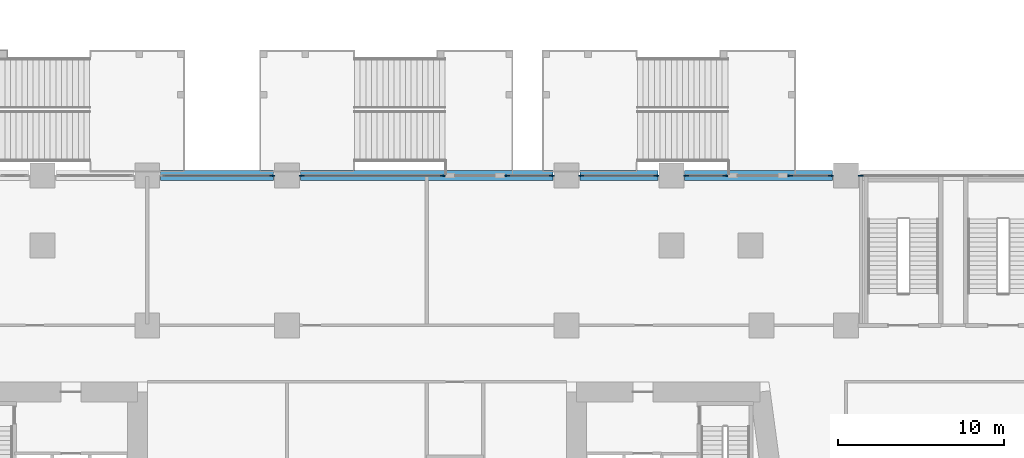
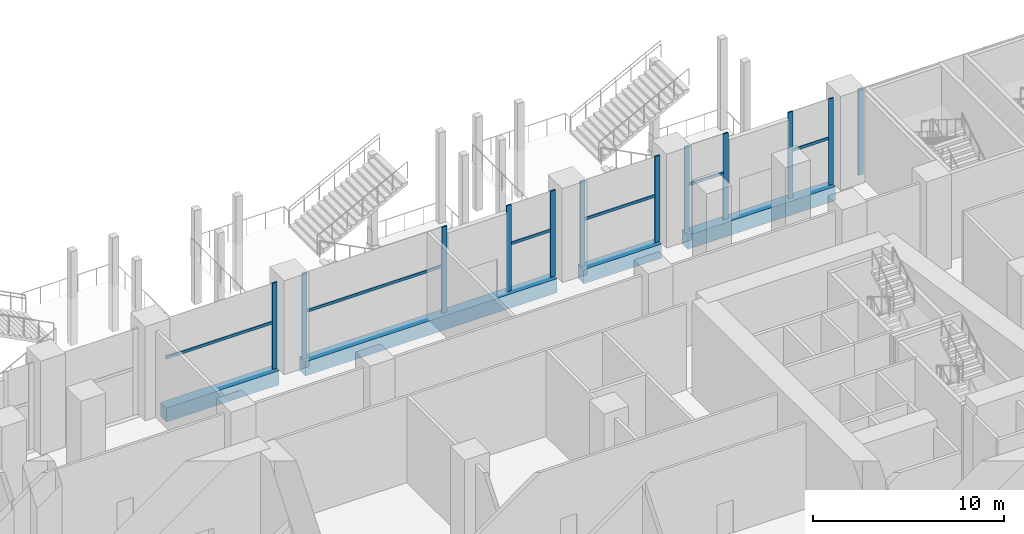
# One storey, part 11 of 49: 18 members, 4 beams, 7 elements without a shape of their own.
"""IFC4 building model written with IfcOpenShell, lengths in metres."""

from ifc_helpers import new_model, si_unit, direction, frame, origin, origin_2d, place, context, subcontext, project, spatial, rectangle, extrude, material, material_profile, profile_set, type_object, element, aggregate, save


model = new_model("IFC4")

# Units and contexts
model_context = context("Model", 3, precision=1e-05, world=origin(), true_north=direction((0.0, 1.0)))
body_context = subcontext(model_context, "Body", "Model", "MODEL_VIEW")
ifc_project = project(units=[si_unit("LENGTHUNIT", "METRE"), si_unit("AREAUNIT", "SQUARE_METRE"), si_unit("VOLUMEUNIT", "CUBIC_METRE"), si_unit("PLANEANGLEUNIT", "RADIAN"), si_unit("MASSUNIT", "GRAM", prefix="KILO")], contexts=[model_context])

# Site, building, storey
site_placement = place(None, origin())
site = spatial("IfcSite", under=ifc_project, at=site_placement, CompositionType="ELEMENT")
building_placement = place(site_placement, origin())
building = spatial("IfcBuilding", under=site, at=building_placement, Name="Candeia Pilgrim Tower and Theatre", CompositionType="ELEMENT")
storey_placement = place(building_placement, frame((0.0, 0.0, 17.0)))
storey = spatial("IfcBuildingStorey", under=building, at=storey_placement, Name="L02", CompositionType="ELEMENT", Elevation=17.0)

# Curtain wall, member
ifc_material_1 = material(Name="Aluminium framed podium glazing", Category="aluminium")
curtain_wall_type = type_object("IfcCurtainWallType", Name="CW-P curtain wall", PredefinedType="NOTDEFINED", material=ifc_material_1)
curtain_wall_1_placement = place(storey_placement, origin())
curtain_wall_1 = element("IfcCurtainWall", 1, at=curtain_wall_1_placement, inside=storey, type_object=curtain_wall_type, Name="Curtain wall CW-P L02.130", PredefinedType="NOTDEFINED")
ifc_material_2 = material(Name="Anodised aluminium", Category="aluminium")
ifc_material_profile_1 = material_profile(ifc_material_2, rectangle(XDim=0.080078125, YDim=0.300048828125, at=origin_2d()))
ifc_profile_set_1 = profile_set([ifc_material_profile_1], Name="Anodised aluminium")
member_type_1 = type_object("IfcMemberType", Name="CW-P mullion 80x300", PredefinedType="MULLION", material=ifc_profile_set_1)
member_1_placement = place(storey_placement, frame((108.300048828125, 144.800048828125, 0.0), z_axis=(0.0, 0.0, 1.0), x_axis=(0.0, 1.0, 0.0)))
member_1 = element("IfcMember", 2, at=member_1_placement, type_object=member_type_1, Name="CW-P mullion 2", PredefinedType="MULLION", context=body_context, shape_type="SweptSolid", body=[
    extrude(rectangle(XDim=0.080078125, YDim=0.300048828125, at=origin_2d()), origin(), (0.0, 0.0, 1.0), 5.5),
])

# Curtain wall, members
curtain_wall_2_placement = place(storey_placement, origin())
curtain_wall_2 = element("IfcCurtainWall", 3, at=curtain_wall_2_placement, inside=storey, type_object=curtain_wall_type, Name="Curtain wall CW-P L02.140", PredefinedType="NOTDEFINED")
member_2_placement = place(storey_placement, frame((110.10009765625, 144.800048828125, 0.0), z_axis=(0.0, 0.0, 1.0), x_axis=(0.0, 1.0, 0.0)))
member_2 = element("IfcMember", 4, at=member_2_placement, type_object=member_type_1, Name="CW-P mullion 1", PredefinedType="MULLION", context=body_context, shape_type="SweptSolid", body=[
    extrude(rectangle(XDim=0.080078125, YDim=0.300048828125, at=origin_2d()), origin(), (0.0, 0.0, 1.0), 5.5),
])
member_3_placement = place(storey_placement, frame((118.550048828125, 144.800048828125, 0.0), z_axis=(0.0, 0.0, 1.0), x_axis=(0.0, 1.0, 0.0)))
member_3 = element("IfcMember", 5, at=member_3_placement, type_object=member_type_1, Name="CW-P mullion 2", PredefinedType="MULLION", context=body_context, shape_type="SweptSolid", body=[
    extrude(rectangle(XDim=0.080078125, YDim=0.300048828125, at=origin_2d()), origin(), (0.0, 0.0, 1.0), 5.5),
])

curtain_wall_3_placement = place(storey_placement, origin())
curtain_wall_3 = element("IfcCurtainWall", 6, at=curtain_wall_3_placement, inside=storey, type_object=curtain_wall_type, Name="Curtain wall CW-P L02.141", PredefinedType="NOTDEFINED")
member_4_placement = place(storey_placement, frame((122.449951171875, 144.800048828125, 0.0), z_axis=(0.0, 0.0, 1.0), x_axis=(0.0, 1.0, 0.0)))
member_4 = element("IfcMember", 7, at=member_4_placement, type_object=member_type_1, Name="CW-P mullion 1", PredefinedType="MULLION", context=body_context, shape_type="SweptSolid", body=[
    extrude(rectangle(XDim=0.080078125, YDim=0.300048828125, at=origin_2d()), origin(), (0.0, 0.0, 1.0), 5.5),
])
member_5_placement = place(storey_placement, frame((125.10009765625, 144.800048828125, 0.0), z_axis=(0.0, 0.0, 1.0), x_axis=(0.0, 1.0, 0.0)))
member_5 = element("IfcMember", 8, at=member_5_placement, type_object=member_type_1, Name="CW-P mullion 2", PredefinedType="MULLION", context=body_context, shape_type="SweptSolid", body=[
    extrude(rectangle(XDim=0.080078125, YDim=0.300048828125, at=origin_2d()), origin(), (0.0, 0.0, 1.0), 5.5),
])

curtain_wall_4_placement = place(storey_placement, origin())
curtain_wall_4 = element("IfcCurtainWall", 9, at=curtain_wall_4_placement, inside=storey, type_object=curtain_wall_type, Name="Curtain wall CW-P L02.150", PredefinedType="NOTDEFINED")
member_6_placement = place(storey_placement, frame((126.89990234375, 144.800048828125, 0.0), z_axis=(0.0, 0.0, 1.0), x_axis=(0.0, 1.0, 0.0)))
member_6 = element("IfcMember", 10, at=member_6_placement, type_object=member_type_1, Name="CW-P mullion 1", PredefinedType="MULLION", context=body_context, shape_type="SweptSolid", body=[
    extrude(rectangle(XDim=0.080078125, YDim=0.300048828125, at=origin_2d()), origin(), (0.0, 0.0, 1.0), 5.5),
])
member_7_placement = place(storey_placement, frame((131.39990234375, 144.800048828125, 0.0), z_axis=(0.0, 0.0, 1.0), x_axis=(0.0, 1.0, 0.0)))
member_7 = element("IfcMember", 11, at=member_7_placement, type_object=member_type_1, Name="CW-P mullion 2", PredefinedType="MULLION", context=body_context, shape_type="SweptSolid", body=[
    extrude(rectangle(XDim=0.080078125, YDim=0.300048828125, at=origin_2d()), origin(), (0.0, 0.0, 1.0), 5.5),
])

curtain_wall_5_placement = place(storey_placement, origin())
curtain_wall_5 = element("IfcCurtainWall", 12, at=curtain_wall_5_placement, inside=storey, type_object=curtain_wall_type, Name="Curtain wall CW-P L02.160", PredefinedType="NOTDEFINED")
member_8_placement = place(storey_placement, frame((133.199951171875, 144.800048828125, 0.0), z_axis=(0.0, 0.0, 1.0), x_axis=(0.0, 1.0, 0.0)))
member_8 = element("IfcMember", 13, at=member_8_placement, type_object=member_type_1, Name="CW-P mullion 1", PredefinedType="MULLION", context=body_context, shape_type="SweptSolid", body=[
    extrude(rectangle(XDim=0.080078125, YDim=0.300048828125, at=origin_2d()), origin(), (0.0, 0.0, 1.0), 5.5),
])
member_9_placement = place(storey_placement, frame((135.550048828125, 144.800048828125, 0.0), z_axis=(0.0, 0.0, 1.0), x_axis=(0.0, 1.0, 0.0)))
member_9 = element("IfcMember", 14, at=member_9_placement, type_object=member_type_1, Name="CW-P mullion 2", PredefinedType="MULLION", context=body_context, shape_type="SweptSolid", body=[
    extrude(rectangle(XDim=0.080078125, YDim=0.300048828125, at=origin_2d()), origin(), (0.0, 0.0, 1.0), 5.5),
])

curtain_wall_6_placement = place(storey_placement, origin())
curtain_wall_6 = element("IfcCurtainWall", 15, at=curtain_wall_6_placement, inside=storey, type_object=curtain_wall_type, Name="Curtain wall CW-P L02.161", PredefinedType="NOTDEFINED")
member_10_placement = place(storey_placement, frame((139.449951171875, 144.800048828125, 0.0), z_axis=(0.0, 0.0, 1.0), x_axis=(0.0, 1.0, 0.0)))
member_10 = element("IfcMember", 16, at=member_10_placement, type_object=member_type_1, Name="CW-P mullion 1", PredefinedType="MULLION", context=body_context, shape_type="SweptSolid", body=[
    extrude(rectangle(XDim=0.080078125, YDim=0.300048828125, at=origin_2d()), origin(), (0.0, 0.0, 1.0), 5.5),
])
member_11_placement = place(storey_placement, frame((141.89990234375, 144.800048828125, 0.0), z_axis=(0.0, 0.0, 1.0), x_axis=(0.0, 1.0, 0.0)))
member_11 = element("IfcMember", 17, at=member_11_placement, type_object=member_type_1, Name="CW-P mullion 2", PredefinedType="MULLION", context=body_context, shape_type="SweptSolid", body=[
    extrude(rectangle(XDim=0.080078125, YDim=0.300048828125, at=origin_2d()), origin(), (0.0, 0.0, 1.0), 5.5),
])

# Curtain wall, member
curtain_wall_7_placement = place(storey_placement, origin())
curtain_wall_7 = element("IfcCurtainWall", 18, at=curtain_wall_7_placement, inside=storey, type_object=curtain_wall_type, Name="Curtain wall CW-P L02.170", PredefinedType="NOTDEFINED")
member_12_placement = place(storey_placement, frame((143.699951171875, 144.800048828125, 0.0), z_axis=(0.0, 0.0, 1.0), x_axis=(0.0, 1.0, 0.0)))
member_12 = element("IfcMember", 19, at=member_12_placement, type_object=member_type_1, Name="CW-P mullion 1", PredefinedType="MULLION", context=body_context, shape_type="SweptSolid", body=[
    extrude(rectangle(XDim=0.080078125, YDim=0.300048828125, at=origin_2d()), origin(), (0.0, 0.0, 1.0), 5.5),
])
aggregate(curtain_wall_7, [member_12])

# Member
ifc_material_profile_2 = material_profile(ifc_material_2, rectangle(XDim=0.080078125, YDim=0.179931640625, at=origin_2d()))
ifc_profile_set_2 = profile_set([ifc_material_profile_2], Name="Anodised aluminium")
member_type_2 = type_object("IfcMemberType", Name="CW-P transom 80x180", PredefinedType="USERDEFINED", material=ifc_profile_set_2)
member_13_placement = place(storey_placement, frame((101.739990234375, 144.800048828125, 3.0), z_axis=(1.0, 0.0, 0.0), x_axis=(0.0, 1.0, 0.0)))
member_13 = element("IfcMember", 20, at=member_13_placement, type_object=member_type_2, Name="CW-P transom 1.1", ObjectType="TRANSOM", PredefinedType="USERDEFINED", context=body_context, shape_type="SweptSolid", body=[
    extrude(rectangle(XDim=0.080078125, YDim=0.179931640625, at=origin_2d()), origin(), (0.0, 0.0, 1.0), 6.52001953125),
])

aggregate(curtain_wall_1, [member_1, member_13])

member_14_placement = place(storey_placement, frame((110.139892578125, 144.800048828125, 3.0), z_axis=(1.0, 0.0, 0.0), x_axis=(0.0, 1.0, 0.0)))
member_14 = element("IfcMember", 21, at=member_14_placement, type_object=member_type_2, Name="CW-P transom 1.1", ObjectType="TRANSOM", PredefinedType="USERDEFINED", context=body_context, shape_type="SweptSolid", body=[
    extrude(rectangle(XDim=0.080078125, YDim=0.179931640625, at=origin_2d()), origin(), (0.0, 0.0, 1.0), 8.3701171875),
])

aggregate(curtain_wall_2, [member_2, member_3, member_14])

member_15_placement = place(storey_placement, frame((122.489990234375, 144.800048828125, 3.0), z_axis=(1.0, 0.0, 0.0), x_axis=(0.0, 1.0, 0.0)))
member_15 = element("IfcMember", 22, at=member_15_placement, type_object=member_type_2, Name="CW-P transom 1.1", ObjectType="TRANSOM", PredefinedType="USERDEFINED", context=body_context, shape_type="SweptSolid", body=[
    extrude(rectangle(XDim=0.080078125, YDim=0.179931640625, at=origin_2d()), origin(), (0.0, 0.0, 1.0), 2.570068359375),
])

aggregate(curtain_wall_3, [member_4, member_5, member_15])

member_16_placement = place(storey_placement, frame((126.93994140625, 144.800048828125, 3.0), z_axis=(1.0, 0.0, 0.0), x_axis=(0.0, 1.0, 0.0)))
member_16 = element("IfcMember", 23, at=member_16_placement, type_object=member_type_2, Name="CW-P transom 1.1", ObjectType="TRANSOM", PredefinedType="USERDEFINED", context=body_context, shape_type="SweptSolid", body=[
    extrude(rectangle(XDim=0.080078125, YDim=0.179931640625, at=origin_2d()), origin(), (0.0, 0.0, 1.0), 4.420166015625),
])

aggregate(curtain_wall_4, [member_6, member_7, member_16])

member_17_placement = place(storey_placement, frame((133.239990234375, 144.800048828125, 3.0), z_axis=(1.0, 0.0, 0.0), x_axis=(0.0, 1.0, 0.0)))
member_17 = element("IfcMember", 24, at=member_17_placement, type_object=member_type_2, Name="CW-P transom 1.1", ObjectType="TRANSOM", PredefinedType="USERDEFINED", context=body_context, shape_type="SweptSolid", body=[
    extrude(rectangle(XDim=0.080078125, YDim=0.179931640625, at=origin_2d()), origin(), (0.0, 0.0, 1.0), 2.27001953125),
])

aggregate(curtain_wall_5, [member_8, member_9, member_17])

member_18_placement = place(storey_placement, frame((139.489990234375, 144.800048828125, 3.0), z_axis=(1.0, 0.0, 0.0), x_axis=(0.0, 1.0, 0.0)))
member_18 = element("IfcMember", 25, at=member_18_placement, type_object=member_type_2, Name="CW-P transom 1.1", ObjectType="TRANSOM", PredefinedType="USERDEFINED", context=body_context, shape_type="SweptSolid", body=[
    extrude(rectangle(XDim=0.080078125, YDim=0.179931640625, at=origin_2d()), origin(), (0.0, 0.0, 1.0), 2.3701171875),
])

aggregate(curtain_wall_6, [member_10, member_11, member_18])

# Beams
ifc_material_3 = material(Name="Concrete C80/95", Category="concrete")
ifc_material_profile_3 = material_profile(ifc_material_3, rectangle(XDim=0.60009765625, YDim=0.89990234375, at=origin_2d()))
ifc_profile_set_3 = profile_set([ifc_material_profile_3], Name="Concrete C80/95")
beam_type = type_object("IfcBeamType", Name="RC 600x900 C80/95", PredefinedType="BEAM", material=ifc_profile_set_3)
beam_1_placement = place(storey_placement, frame((142.0, 144.800048828125, -0.449951171875), z_axis=(-1.0, 0.0, 0.0), x_axis=(0.0, -1.0, 0.0)))
element("IfcBeam", 26, at=beam_1_placement, inside=storey, type_object=beam_type, Name="Spandrel beam L02-09", PredefinedType="BEAM", context=body_context, shape_type="SweptSolid", body=[
    extrude(rectangle(XDim=0.60009765625, YDim=0.89990234375, at=origin_2d()), origin(), (0.0, 0.0, 1.0), 8.89990234375),
])
beam_2_placement = place(storey_placement, frame((131.5, 144.800048828125, -0.449951171875), z_axis=(-1.0, 0.0, 0.0), x_axis=(0.0, -1.0, 0.0)))
element("IfcBeam", 27, at=beam_2_placement, inside=storey, type_object=beam_type, Name="Spandrel beam L02-10", PredefinedType="BEAM", context=body_context, shape_type="SweptSolid", body=[
    extrude(rectangle(XDim=0.60009765625, YDim=0.89990234375, at=origin_2d()), origin(), (0.0, 0.0, 1.0), 4.699951171875),
])
beam_3_placement = place(storey_placement, frame((125.199951171875, 144.800048828125, -0.449951171875), z_axis=(-1.0, 0.0, 0.0), x_axis=(0.0, -1.0, 0.0)))
element("IfcBeam", 28, at=beam_3_placement, inside=storey, type_object=beam_type, Name="Spandrel beam L02-11", PredefinedType="BEAM", context=body_context, shape_type="SweptSolid", body=[
    extrude(rectangle(XDim=0.60009765625, YDim=0.89990234375, at=origin_2d()), origin(), (0.0, 0.0, 1.0), 15.199951171875),
])
beam_4_placement = place(storey_placement, frame((108.39990234375, 144.800048828125, -0.449951171875), z_axis=(-1.0, 0.0, 0.0), x_axis=(0.0, -1.0, 0.0)))
element("IfcBeam", 29, at=beam_4_placement, inside=storey, type_object=beam_type, Name="Spandrel beam L02-12", PredefinedType="BEAM", context=body_context, shape_type="SweptSolid", body=[
    extrude(rectangle(XDim=0.60009765625, YDim=0.89990234375, at=origin_2d()), origin(), (0.0, 0.0, 1.0), 6.7998046875),
])

save(model, "model.ifc")
